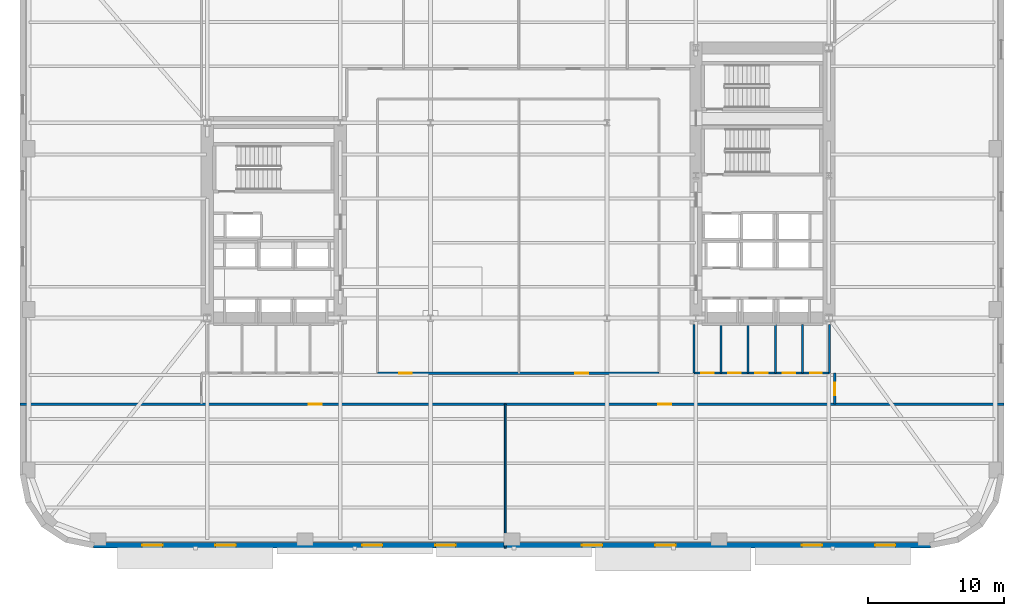
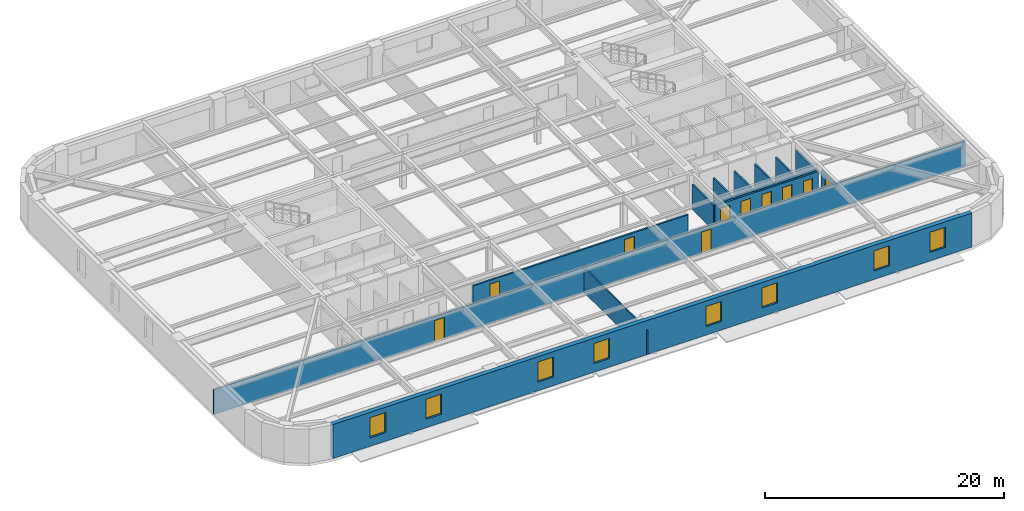
# One storey, part 5 of 15: 12 walls, 10 doors, 8 windows, 18 openings.
"""IFC4 building model written with IfcOpenShell, lengths in metres."""

from ifc_helpers import new_model, si_unit, direction, frame, frame_2d, origin, place, context, subcontext, project, spatial, rectangle, extrude, material, layer, layer_set, type_object, element, fill, save


model = new_model("IFC4")

# Units and contexts
model_context = context("Model", 3, precision=1e-05, world=origin(), true_north=direction((0.0, 1.0)))
body_context = subcontext(model_context, "Body", "Model", "MODEL_VIEW")
ifc_project = project(units=[si_unit("LENGTHUNIT", "METRE"), si_unit("AREAUNIT", "SQUARE_METRE"), si_unit("VOLUMEUNIT", "CUBIC_METRE"), si_unit("PLANEANGLEUNIT", "RADIAN"), si_unit("MASSUNIT", "GRAM", prefix="KILO")], contexts=[model_context])

# Site, building, storey
site_placement = place(None, origin())
site = spatial("IfcSite", under=ifc_project, at=site_placement, CompositionType="ELEMENT")
building_placement = place(site_placement, origin())
building = spatial("IfcBuilding", under=site, at=building_placement, Name="Kolvaren Arena Tower", CompositionType="ELEMENT")
storey_placement = place(building_placement, frame((0.0, 0.0, 45.75)))
storey = spatial("IfcBuildingStorey", under=building, at=storey_placement, Name="L08", CompositionType="ELEMENT", Elevation=45.75)

# Wall, openings, doors
ifc_material_1 = material(Name="Gypsum board acoustic assembly", Category="gypsum")
ifc_layer_1 = layer(ifc_material_1, 0.159912109375)
ifc_layer_set_1 = layer_set([ifc_layer_1], Name="Gypsum board acoustic assembly")
wall_type_1 = type_object("IfcWallType", Name="CORR-160", PredefinedType="PARTITIONING", material=ifc_layer_set_1)
wall_1_placement = place(storey_placement, frame((0.75, 13.10009765625, 0.0), z_axis=(0.0, 0.0, 1.0), x_axis=(1.0, 0.0, 0.0)))
wall_1 = element("IfcWall", 1, at=wall_1_placement, inside=storey, type_object=wall_type_1, Name="Interior Partition Wall (L08)", PredefinedType="PARTITIONING", context=body_context, shape_type="SweptSolid", body=[
    extrude(rectangle(XDim=72.5, YDim=0.159912109375, at=frame_2d((36.25, 0.0))), origin(), (0.0, 0.0, 1.0), 2.5400390625),
])
opening_1_placement = place(wall_1_placement, frame((21.27490234375, 0.0, 0.0)))
opening_1 = element("IfcOpeningElement", 2, at=opening_1_placement, cuts=wall_1, Name="Opening D05", PredefinedType="OPENING", context=body_context, shape_type="SweptSolid", body=[
    extrude(rectangle(XDim=0.949951171875, YDim=2.14990234375, at=frame_2d((0.47509765625, 1.074951171875))), frame((0.0, 0.08984375, 0.0), z_axis=(0.0, -1.0, 0.0), x_axis=(1.0, 0.0, 0.0)), (0.0, 0.0, 1.0), 0.179931640625),
])
opening_2_placement = place(wall_1_placement, frame((47.02490234375, 0.0, 0.0)))
opening_2 = element("IfcOpeningElement", 3, at=opening_2_placement, cuts=wall_1, Name="Opening D05", PredefinedType="OPENING", context=body_context, shape_type="SweptSolid", body=[
    extrude(rectangle(XDim=0.949951171875, YDim=2.14990234375, at=frame_2d((0.47509765625, 1.074951171875))), frame((0.0, 0.08984375, 0.0), z_axis=(0.0, -1.0, 0.0), x_axis=(1.0, 0.0, 0.0)), (0.0, 0.0, 1.0), 0.179931640625),
])
ifc_material_2 = material(Name="Solid-core oak acoustic office door", Category="wood")
door_type_1 = type_object("IfcDoorType", Name="DOOR-OF-095", OperationType="NOTDEFINED", PredefinedType="DOOR", material=ifc_material_2)
door_1_placement = place(opening_1_placement, origin())
door_1 = element("IfcDoor", 4, at=door_1_placement, inside=storey, type_object=door_type_1, Name="Design Studio Door (L08)", OperationType="SINGLE_SWING_RIGHT", OverallHeight=2.14990234375, OverallWidth=0.949951171875, PredefinedType="DOOR", context=body_context, shape_type="SweptSolid", body=[
    extrude(rectangle(XDim=0.949951171875, YDim=2.14990234375, at=frame_2d((0.47509765625, 1.074951171875))), frame((0.0, 0.02490234375, 0.0), z_axis=(0.0, -1.0, 0.0), x_axis=(1.0, 0.0, 0.0)), (0.0, 0.0, 1.0), 0.050048828125),
])
fill(opening_1, door_1)
door_2_placement = place(opening_2_placement, origin())
door_2 = element("IfcDoor", 5, at=door_2_placement, inside=storey, type_object=door_type_1, Name="Design Studio Door (L08)", OperationType="SINGLE_SWING_LEFT", OverallHeight=2.14990234375, OverallWidth=0.949951171875, PredefinedType="DOOR", context=body_context, shape_type="SweptSolid", body=[
    extrude(rectangle(XDim=0.949951171875, YDim=2.14990234375, at=frame_2d((0.47509765625, 1.074951171875))), frame((0.0, 0.02490234375, 0.0), z_axis=(0.0, -1.0, 0.0), x_axis=(1.0, 0.0, 0.0)), (0.0, 0.0, 1.0), 0.050048828125),
])
fill(opening_2, door_2)

wall_2_placement = place(storey_placement, frame((27.080078125, 15.3798828125, 0.0), z_axis=(0.0, 0.0, 1.0), x_axis=(1.0, 0.0, 0.0)))
wall_2 = element("IfcWall", 6, at=wall_2_placement, inside=storey, type_object=wall_type_1, Name="Interior Partition Wall (L08)", PredefinedType="PARTITIONING", context=body_context, shape_type="SweptSolid", body=[
    extrude(rectangle(XDim=20.739990234375, YDim=0.159912109375, at=frame_2d((10.3701171875, 0.0))), origin(), (0.0, 0.0, 1.0), 2.5400390625),
])
opening_3_placement = place(wall_2_placement, frame((1.594970703125, 0.0, 0.0)))
opening_3 = element("IfcOpeningElement", 7, at=opening_3_placement, cuts=wall_2, Name="Opening D05", PredefinedType="OPENING", context=body_context, shape_type="SweptSolid", body=[
    extrude(rectangle(XDim=0.949951171875, YDim=2.14990234375, at=frame_2d((0.47509765625, 1.074951171875))), frame((0.0, 0.08984375, 0.0), z_axis=(0.0, -1.0, 0.0), x_axis=(1.0, 0.0, 0.0)), (0.0, 0.0, 1.0), 0.179931640625),
])
opening_4_placement = place(wall_2_placement, frame((14.594970703125, 0.0, 0.0)))
opening_4 = element("IfcOpeningElement", 8, at=opening_4_placement, cuts=wall_2, Name="Opening D05", PredefinedType="OPENING", context=body_context, shape_type="SweptSolid", body=[
    extrude(rectangle(XDim=0.949951171875, YDim=2.14990234375, at=frame_2d((0.47509765625, 1.074951171875))), frame((0.0, 0.08984375, 0.0), z_axis=(0.0, -1.0, 0.0), x_axis=(1.0, 0.0, 0.0)), (0.0, 0.0, 1.0), 0.179931640625),
])
door_3_placement = place(opening_3_placement, origin())
door_3 = element("IfcDoor", 9, at=door_3_placement, inside=storey, type_object=door_type_1, Name="Design Studio Door (L08)", OperationType="SINGLE_SWING_RIGHT", OverallHeight=2.14990234375, OverallWidth=0.949951171875, PredefinedType="DOOR", context=body_context, shape_type="SweptSolid", body=[
    extrude(rectangle(XDim=0.949951171875, YDim=2.14990234375, at=frame_2d((0.47509765625, 1.074951171875))), frame((0.0, 0.02490234375, 0.0), z_axis=(0.0, -1.0, 0.0), x_axis=(1.0, 0.0, 0.0)), (0.0, 0.0, 1.0), 0.050048828125),
])
fill(opening_3, door_3)
door_4_placement = place(opening_4_placement, origin())
door_4 = element("IfcDoor", 10, at=door_4_placement, inside=storey, type_object=door_type_1, Name="Design Studio Door (L08)", OperationType="SINGLE_SWING_LEFT", OverallHeight=2.14990234375, OverallWidth=0.949951171875, PredefinedType="DOOR", context=body_context, shape_type="SweptSolid", body=[
    extrude(rectangle(XDim=0.949951171875, YDim=2.14990234375, at=frame_2d((0.47509765625, 1.074951171875))), frame((0.0, 0.02490234375, 0.0), z_axis=(0.0, -1.0, 0.0), x_axis=(1.0, 0.0, 0.0)), (0.0, 0.0, 1.0), 0.050048828125),
])
fill(opening_4, door_4)

# Wall, opening, door
wall_3_placement = place(storey_placement, frame((60.780029296875, 13.10009765625, 0.0), z_axis=(0.0, 0.0, 1.0), x_axis=(0.0, 1.0, 0.0)))
wall_3 = element("IfcWall", 11, at=wall_3_placement, inside=storey, type_object=wall_type_1, Name="Interior Partition Wall (L08)", PredefinedType="PARTITIONING", context=body_context, shape_type="SweptSolid", body=[
    extrude(rectangle(XDim=2.2998046875, YDim=0.159912109375, at=frame_2d((1.14990234375, 0.0))), origin(), (0.0, 0.0, 1.0), 2.5400390625),
])
opening_5_placement = place(wall_3_placement, frame((0.64990234375, 0.0, 0.0)))
opening_5 = element("IfcOpeningElement", 12, at=opening_5_placement, cuts=wall_3, Name="Opening D05", PredefinedType="OPENING", context=body_context, shape_type="SweptSolid", body=[
    extrude(rectangle(XDim=0.949951171875, YDim=2.14990234375, at=frame_2d((0.47509765625, 1.074951171875))), frame((0.0, 0.08984375, 0.0), z_axis=(0.0, -1.0, 0.0), x_axis=(1.0, 0.0, 0.0)), (0.0, 0.0, 1.0), 0.179931640625),
])
door_5_placement = place(opening_5_placement, origin())
door_5 = element("IfcDoor", 13, at=door_5_placement, inside=storey, type_object=door_type_1, Name="East Wing Studio Door (L08)", OperationType="SINGLE_SWING_RIGHT", OverallHeight=2.14990234375, OverallWidth=0.949951171875, PredefinedType="DOOR", context=body_context, shape_type="SweptSolid", body=[
    extrude(rectangle(XDim=0.949951171875, YDim=2.14990234375, at=frame_2d((0.47509765625, 1.074951171875))), frame((0.0, 0.02490234375, 0.0), z_axis=(0.0, -1.0, 0.0), x_axis=(1.0, 0.0, 0.0)), (0.0, 0.0, 1.0), 0.050048828125),
])
fill(opening_5, door_5)

# Wall, openings, windows
ifc_material_3 = material(Name="Precast concrete C50/60", Category="concrete")
ifc_layer_2 = layer(ifc_material_3, 0.419921875)
ifc_layer_set_2 = layer_set([ifc_layer_2], Name="Precast concrete C50/60")
wall_type_2 = type_object("IfcWallType", Name="EXT-PIER1", PredefinedType="SOLIDWALL", material=ifc_layer_set_2)
wall_4_placement = place(storey_placement, frame((67.85009765625, 2.7099609375, 0.0), z_axis=(0.0, 0.0, 1.0), x_axis=(-1.0, 0.0, 0.0)))
wall_4 = element("IfcWall", 14, at=wall_4_placement, inside=storey, type_object=wall_type_2, Name="Exterior Precast Masonry-Frame Wall (L08)", PredefinedType="SOLIDWALL", context=body_context, shape_type="SweptSolid", body=[
    extrude(rectangle(XDim=61.7001953125, YDim=0.419921875, at=frame_2d((30.85009765625, 0.0))), origin(), (0.0, 0.0, 1.0), 3.47998046875),
])
opening_6_placement = place(wall_4_placement, frame((2.60009765625, 0.0, 0.8798828125)))
opening_6 = element("IfcOpeningElement", 15, at=opening_6_placement, cuts=wall_4, Name="Opening W03", PredefinedType="OPENING", context=body_context, shape_type="SweptSolid", body=[
    extrude(rectangle(XDim=1.5, YDim=2.050048828125, at=frame_2d((0.75, 1.02490234375))), frame((0.0, 0.219970703125, 0.0), z_axis=(0.0, -1.0, 0.0), x_axis=(1.0, 0.0, 0.0)), (0.0, 0.0, 1.0), 0.43994140625),
])
opening_7_placement = place(wall_4_placement, frame((8.0, 0.0, 0.8798828125)))
opening_7 = element("IfcOpeningElement", 16, at=opening_7_placement, cuts=wall_4, Name="Opening W03", PredefinedType="OPENING", context=body_context, shape_type="SweptSolid", body=[
    extrude(rectangle(XDim=1.5, YDim=2.050048828125, at=frame_2d((0.75, 1.02490234375))), frame((0.0, 0.219970703125, 0.0), z_axis=(0.0, -1.0, 0.0), x_axis=(1.0, 0.0, 0.0)), (0.0, 0.0, 1.0), 0.43994140625),
])
opening_8_placement = place(wall_4_placement, frame((18.800048828125, 0.0, 0.8798828125)))
opening_8 = element("IfcOpeningElement", 17, at=opening_8_placement, cuts=wall_4, Name="Opening W03", PredefinedType="OPENING", context=body_context, shape_type="SweptSolid", body=[
    extrude(rectangle(XDim=1.5, YDim=2.050048828125, at=frame_2d((0.75, 1.02490234375))), frame((0.0, 0.219970703125, 0.0), z_axis=(0.0, -1.0, 0.0), x_axis=(1.0, 0.0, 0.0)), (0.0, 0.0, 1.0), 0.43994140625),
])
opening_9_placement = place(wall_4_placement, frame((24.199951171875, 0.0, 0.8798828125)))
opening_9 = element("IfcOpeningElement", 18, at=opening_9_placement, cuts=wall_4, Name="Opening W03", PredefinedType="OPENING", context=body_context, shape_type="SweptSolid", body=[
    extrude(rectangle(XDim=1.5, YDim=2.050048828125, at=frame_2d((0.75, 1.02490234375))), frame((0.0, 0.219970703125, 0.0), z_axis=(0.0, -1.0, 0.0), x_axis=(1.0, 0.0, 0.0)), (0.0, 0.0, 1.0), 0.43994140625),
])
opening_10_placement = place(wall_4_placement, frame((35.0, 0.0, 0.8798828125)))
opening_10 = element("IfcOpeningElement", 19, at=opening_10_placement, cuts=wall_4, Name="Opening W03", PredefinedType="OPENING", context=body_context, shape_type="SweptSolid", body=[
    extrude(rectangle(XDim=1.5, YDim=2.050048828125, at=frame_2d((0.75, 1.02490234375))), frame((0.0, 0.219970703125, 0.0), z_axis=(0.0, -1.0, 0.0), x_axis=(1.0, 0.0, 0.0)), (0.0, 0.0, 1.0), 0.43994140625),
])
opening_11_placement = place(wall_4_placement, frame((40.39990234375, 0.0, 0.8798828125)))
opening_11 = element("IfcOpeningElement", 20, at=opening_11_placement, cuts=wall_4, Name="Opening W03", PredefinedType="OPENING", context=body_context, shape_type="SweptSolid", body=[
    extrude(rectangle(XDim=1.5, YDim=2.050048828125, at=frame_2d((0.75, 1.02490234375))), frame((0.0, 0.219970703125, 0.0), z_axis=(0.0, -1.0, 0.0), x_axis=(1.0, 0.0, 0.0)), (0.0, 0.0, 1.0), 0.43994140625),
])
opening_12_placement = place(wall_4_placement, frame((51.199951171875, 0.0, 0.8798828125)))
opening_12 = element("IfcOpeningElement", 21, at=opening_12_placement, cuts=wall_4, Name="Opening W03", PredefinedType="OPENING", context=body_context, shape_type="SweptSolid", body=[
    extrude(rectangle(XDim=1.5, YDim=2.050048828125, at=frame_2d((0.75, 1.02490234375))), frame((0.0, 0.219970703125, 0.0), z_axis=(0.0, -1.0, 0.0), x_axis=(1.0, 0.0, 0.0)), (0.0, 0.0, 1.0), 0.43994140625),
])
opening_13_placement = place(wall_4_placement, frame((56.60009765625, 0.0, 0.8798828125)))
opening_13 = element("IfcOpeningElement", 22, at=opening_13_placement, cuts=wall_4, Name="Opening W03", PredefinedType="OPENING", context=body_context, shape_type="SweptSolid", body=[
    extrude(rectangle(XDim=1.5, YDim=2.050048828125, at=frame_2d((0.75, 1.02490234375))), frame((0.0, 0.219970703125, 0.0), z_axis=(0.0, -1.0, 0.0), x_axis=(1.0, 0.0, 0.0)), (0.0, 0.0, 1.0), 0.43994140625),
])
ifc_material_4 = material(Name="Triple-glazed low-E aluminium window", Category="aluminium")
window_type = type_object("IfcWindowType", Name="WIN-OFF-C", PartitioningType="SINGLE_PANEL", PredefinedType="WINDOW", material=ifc_material_4)
window_1_placement = place(opening_6_placement, origin())
window_1 = element("IfcWindow", 23, at=window_1_placement, inside=storey, type_object=window_type, Name="Punched Precast-Pier Window (L08)", OverallHeight=2.050048828125, OverallWidth=1.5, PartitioningType="SINGLE_PANEL", PredefinedType="WINDOW", context=body_context, shape_type="SweptSolid", body=[
    extrude(rectangle(XDim=1.5, YDim=2.050048828125, at=frame_2d((0.75, 1.02490234375))), frame((0.0, 0.030029296875, 0.0), z_axis=(0.0, -1.0, 0.0), x_axis=(1.0, 0.0, 0.0)), (0.0, 0.0, 1.0), 0.06005859375),
])
fill(opening_6, window_1)
window_2_placement = place(opening_7_placement, origin())
window_2 = element("IfcWindow", 24, at=window_2_placement, inside=storey, type_object=window_type, Name="Punched Precast-Pier Window (L08)", OverallHeight=2.050048828125, OverallWidth=1.5, PartitioningType="SINGLE_PANEL", PredefinedType="WINDOW", context=body_context, shape_type="SweptSolid", body=[
    extrude(rectangle(XDim=1.5, YDim=2.050048828125, at=frame_2d((0.75, 1.02490234375))), frame((0.0, 0.030029296875, 0.0), z_axis=(0.0, -1.0, 0.0), x_axis=(1.0, 0.0, 0.0)), (0.0, 0.0, 1.0), 0.06005859375),
])
fill(opening_7, window_2)
window_3_placement = place(opening_8_placement, origin())
window_3 = element("IfcWindow", 25, at=window_3_placement, inside=storey, type_object=window_type, Name="Punched Precast-Pier Window (L08)", OverallHeight=2.050048828125, OverallWidth=1.5, PartitioningType="SINGLE_PANEL", PredefinedType="WINDOW", context=body_context, shape_type="SweptSolid", body=[
    extrude(rectangle(XDim=1.5, YDim=2.050048828125, at=frame_2d((0.75, 1.02490234375))), frame((0.0, 0.030029296875, 0.0), z_axis=(0.0, -1.0, 0.0), x_axis=(1.0, 0.0, 0.0)), (0.0, 0.0, 1.0), 0.06005859375),
])
fill(opening_8, window_3)
window_4_placement = place(opening_9_placement, origin())
window_4 = element("IfcWindow", 26, at=window_4_placement, inside=storey, type_object=window_type, Name="Punched Precast-Pier Window (L08)", OverallHeight=2.050048828125, OverallWidth=1.5, PartitioningType="SINGLE_PANEL", PredefinedType="WINDOW", context=body_context, shape_type="SweptSolid", body=[
    extrude(rectangle(XDim=1.5, YDim=2.050048828125, at=frame_2d((0.75, 1.02490234375))), frame((0.0, 0.030029296875, 0.0), z_axis=(0.0, -1.0, 0.0), x_axis=(1.0, 0.0, 0.0)), (0.0, 0.0, 1.0), 0.06005859375),
])
fill(opening_9, window_4)
window_5_placement = place(opening_10_placement, origin())
window_5 = element("IfcWindow", 27, at=window_5_placement, inside=storey, type_object=window_type, Name="Punched Precast-Pier Window (L08)", OverallHeight=2.050048828125, OverallWidth=1.5, PartitioningType="SINGLE_PANEL", PredefinedType="WINDOW", context=body_context, shape_type="SweptSolid", body=[
    extrude(rectangle(XDim=1.5, YDim=2.050048828125, at=frame_2d((0.75, 1.02490234375))), frame((0.0, 0.030029296875, 0.0), z_axis=(0.0, -1.0, 0.0), x_axis=(1.0, 0.0, 0.0)), (0.0, 0.0, 1.0), 0.06005859375),
])
fill(opening_10, window_5)
window_6_placement = place(opening_11_placement, origin())
window_6 = element("IfcWindow", 28, at=window_6_placement, inside=storey, type_object=window_type, Name="Punched Precast-Pier Window (L08)", OverallHeight=2.050048828125, OverallWidth=1.5, PartitioningType="SINGLE_PANEL", PredefinedType="WINDOW", context=body_context, shape_type="SweptSolid", body=[
    extrude(rectangle(XDim=1.5, YDim=2.050048828125, at=frame_2d((0.75, 1.02490234375))), frame((0.0, 0.030029296875, 0.0), z_axis=(0.0, -1.0, 0.0), x_axis=(1.0, 0.0, 0.0)), (0.0, 0.0, 1.0), 0.06005859375),
])
fill(opening_11, window_6)
window_7_placement = place(opening_12_placement, origin())
window_7 = element("IfcWindow", 29, at=window_7_placement, inside=storey, type_object=window_type, Name="Punched Precast-Pier Window (L08)", OverallHeight=2.050048828125, OverallWidth=1.5, PartitioningType="SINGLE_PANEL", PredefinedType="WINDOW", context=body_context, shape_type="SweptSolid", body=[
    extrude(rectangle(XDim=1.5, YDim=2.050048828125, at=frame_2d((0.75, 1.02490234375))), frame((0.0, 0.030029296875, 0.0), z_axis=(0.0, -1.0, 0.0), x_axis=(1.0, 0.0, 0.0)), (0.0, 0.0, 1.0), 0.06005859375),
])
fill(opening_12, window_7)
window_8_placement = place(opening_13_placement, origin())
window_8 = element("IfcWindow", 30, at=window_8_placement, inside=storey, type_object=window_type, Name="Punched Precast-Pier Window (L08)", OverallHeight=2.050048828125, OverallWidth=1.5, PartitioningType="SINGLE_PANEL", PredefinedType="WINDOW", context=body_context, shape_type="SweptSolid", body=[
    extrude(rectangle(XDim=1.5, YDim=2.050048828125, at=frame_2d((0.75, 1.02490234375))), frame((0.0, 0.030029296875, 0.0), z_axis=(0.0, -1.0, 0.0), x_axis=(1.0, 0.0, 0.0)), (0.0, 0.0, 1.0), 0.06005859375),
])
fill(opening_13, window_8)

# Wall
ifc_material_5 = material(Name="Gypsum board partition assembly", Category="gypsum")
ifc_layer_3 = layer(ifc_material_5, 0.135009765625)
ifc_layer_set_3 = layer_set([ifc_layer_3], Name="Gypsum board partition assembly")
wall_type_3 = type_object("IfcWallType", Name="PART-135", PredefinedType="PARTITIONING", material=ifc_layer_set_3)
wall_5_placement = place(storey_placement, frame((36.5, 2.5, 0.0), z_axis=(0.0, 0.0, 1.0), x_axis=(0.0, 1.0, 0.0)))
element("IfcWall", 31, at=wall_5_placement, inside=storey, type_object=wall_type_3, Name="Interior Partition Wall (L08)", PredefinedType="PARTITIONING", context=body_context, shape_type="SweptSolid", body=[
    extrude(rectangle(XDim=10.60009765625, YDim=0.135009765625, at=frame_2d((5.300048828125, 0.0))), origin(), (0.0, 0.0, 1.0), 2.5400390625),
])

# Wall, openings, doors
ifc_material_6 = material(Name="Concrete 45 MPa", Category="concrete")
ifc_layer_4 = layer(ifc_material_6, 0.25)
ifc_layer_set_4 = layer_set([ifc_layer_4], Name="Concrete 45 MPa")
wall_type_4 = type_object("IfcWallType", Name="SHAFT-250", PredefinedType="SOLIDWALL", material=ifc_layer_set_4)
wall_6_placement = place(storey_placement, frame((50.39990234375, 15.39990234375, 0.0), z_axis=(0.0, 0.0, 1.0), x_axis=(1.0, 0.0, 0.0)))
wall_6 = element("IfcWall", 32, at=wall_6_placement, inside=storey, type_object=wall_type_4, Name="Interior Partition Wall (L08)", PredefinedType="SOLIDWALL", context=body_context, shape_type="SweptSolid", body=[
    extrude(rectangle(XDim=10.0, YDim=0.179931640625, at=frame_2d((5.0, 0.0))), origin(), (0.0, 0.0, 1.0), 2.5400390625),
])
opening_14_placement = place(wall_6_placement, frame((0.5400390625, 0.0, 0.0)))
opening_14 = element("IfcOpeningElement", 33, at=opening_14_placement, cuts=wall_6, Name="Opening D07", PredefinedType="OPENING", context=body_context, shape_type="SweptSolid", body=[
    extrude(rectangle(XDim=0.919921875, YDim=2.10009765625, at=frame_2d((0.4599609375, 1.050048828125))), frame((0.0, 0.099853515625, 0.0), z_axis=(0.0, -1.0, 0.0), x_axis=(1.0, 0.0, 0.0)), (0.0, 0.0, 1.0), 0.199951171875),
])
opening_15_placement = place(wall_6_placement, frame((2.5400390625, 0.0, 0.0)))
opening_15 = element("IfcOpeningElement", 34, at=opening_15_placement, cuts=wall_6, Name="Opening D07", PredefinedType="OPENING", context=body_context, shape_type="SweptSolid", body=[
    extrude(rectangle(XDim=0.919921875, YDim=2.10009765625, at=frame_2d((0.4599609375, 1.050048828125))), frame((0.0, 0.099853515625, 0.0), z_axis=(0.0, -1.0, 0.0), x_axis=(1.0, 0.0, 0.0)), (0.0, 0.0, 1.0), 0.199951171875),
])
opening_16_placement = place(wall_6_placement, frame((4.5400390625, 0.0, 0.0)))
opening_16 = element("IfcOpeningElement", 35, at=opening_16_placement, cuts=wall_6, Name="Opening D07", PredefinedType="OPENING", context=body_context, shape_type="SweptSolid", body=[
    extrude(rectangle(XDim=0.919921875, YDim=2.10009765625, at=frame_2d((0.4599609375, 1.050048828125))), frame((0.0, 0.099853515625, 0.0), z_axis=(0.0, -1.0, 0.0), x_axis=(1.0, 0.0, 0.0)), (0.0, 0.0, 1.0), 0.199951171875),
])
opening_17_placement = place(wall_6_placement, frame((6.5400390625, 0.0, 0.0)))
opening_17 = element("IfcOpeningElement", 36, at=opening_17_placement, cuts=wall_6, Name="Opening D07", PredefinedType="OPENING", context=body_context, shape_type="SweptSolid", body=[
    extrude(rectangle(XDim=0.919921875, YDim=2.10009765625, at=frame_2d((0.4599609375, 1.050048828125))), frame((0.0, 0.099853515625, 0.0), z_axis=(0.0, -1.0, 0.0), x_axis=(1.0, 0.0, 0.0)), (0.0, 0.0, 1.0), 0.199951171875),
])
opening_18_placement = place(wall_6_placement, frame((8.570068359375, 0.0, 0.0)))
opening_18 = element("IfcOpeningElement", 37, at=opening_18_placement, cuts=wall_6, Name="Opening D09", PredefinedType="OPENING", context=body_context, shape_type="SweptSolid", body=[
    extrude(rectangle(XDim=0.860107421875, YDim=2.050048828125, at=frame_2d((0.43017578125, 1.02490234375))), frame((0.0, 0.099853515625, 0.0), z_axis=(0.0, -1.0, 0.0), x_axis=(1.0, 0.0, 0.0)), (0.0, 0.0, 1.0), 0.199951171875),
])
ifc_material_7 = material(Name="Fire-rated steel riser access door", Category="steel")
door_type_2 = type_object("IfcDoorType", Name="DOOR-RS-086", OperationType="NOTDEFINED", PredefinedType="DOOR", material=ifc_material_7)
door_6_placement = place(opening_18_placement, origin())
door_6 = element("IfcDoor", 38, at=door_6_placement, inside=storey, type_object=door_type_2, Name="Telecom Riser Closet Door (L08)", OperationType="SINGLE_SWING_RIGHT", OverallHeight=2.050048828125, OverallWidth=0.860107421875, PredefinedType="DOOR", context=body_context, shape_type="SweptSolid", body=[
    extrude(rectangle(XDim=0.860107421875, YDim=2.050048828125, at=frame_2d((0.43017578125, 1.02490234375))), frame((0.0, 0.02490234375, 0.0), z_axis=(0.0, -1.0, 0.0), x_axis=(1.0, 0.0, 0.0)), (0.0, 0.0, 1.0), 0.050048828125),
])
fill(opening_18, door_6)
ifc_material_8 = material(Name="Laminate universal washroom door", Category="wood")
door_type_3 = type_object("IfcDoorType", Name="DOOR-WC-092", OperationType="NOTDEFINED", PredefinedType="DOOR", material=ifc_material_8)
door_7_placement = place(opening_14_placement, origin())
door_7 = element("IfcDoor", 39, at=door_7_placement, inside=storey, type_object=door_type_3, Name="First Aid Store Door (L08)", OperationType="SINGLE_SWING_RIGHT", OverallHeight=2.10009765625, OverallWidth=0.919921875, PredefinedType="DOOR", context=body_context, shape_type="SweptSolid", body=[
    extrude(rectangle(XDim=0.919921875, YDim=2.10009765625, at=frame_2d((0.4599609375, 1.050048828125))), frame((0.0, 0.02490234375, 0.0), z_axis=(0.0, -1.0, 0.0), x_axis=(1.0, 0.0, 0.0)), (0.0, 0.0, 1.0), 0.050048828125),
])
fill(opening_14, door_7)
door_8_placement = place(opening_15_placement, origin())
door_8 = element("IfcDoor", 40, at=door_8_placement, inside=storey, type_object=door_type_3, Name="Cleaner and Janitor Store Door (L08)", OperationType="SINGLE_SWING_LEFT", OverallHeight=2.10009765625, OverallWidth=0.919921875, PredefinedType="DOOR", context=body_context, shape_type="SweptSolid", body=[
    extrude(rectangle(XDim=0.919921875, YDim=2.10009765625, at=frame_2d((0.4599609375, 1.050048828125))), frame((0.0, 0.02490234375, 0.0), z_axis=(0.0, -1.0, 0.0), x_axis=(1.0, 0.0, 0.0)), (0.0, 0.0, 1.0), 0.050048828125),
])
fill(opening_15, door_8)
door_9_placement = place(opening_16_placement, origin())
door_9 = element("IfcDoor", 41, at=door_9_placement, inside=storey, type_object=door_type_3, Name="Staff Pantry Door (L08)", OperationType="SINGLE_SWING_RIGHT", OverallHeight=2.10009765625, OverallWidth=0.919921875, PredefinedType="DOOR", context=body_context, shape_type="SweptSolid", body=[
    extrude(rectangle(XDim=0.919921875, YDim=2.10009765625, at=frame_2d((0.4599609375, 1.050048828125))), frame((0.0, 0.02490234375, 0.0), z_axis=(0.0, -1.0, 0.0), x_axis=(1.0, 0.0, 0.0)), (0.0, 0.0, 1.0), 0.050048828125),
])
fill(opening_16, door_9)
door_10_placement = place(opening_17_placement, origin())
door_10 = element("IfcDoor", 42, at=door_10_placement, inside=storey, type_object=door_type_3, Name="Gender-Neutral Washroom Door (L08)", OperationType="SINGLE_SWING_LEFT", OverallHeight=2.10009765625, OverallWidth=0.919921875, PredefinedType="DOOR", context=body_context, shape_type="SweptSolid", body=[
    extrude(rectangle(XDim=0.919921875, YDim=2.10009765625, at=frame_2d((0.4599609375, 1.050048828125))), frame((0.0, 0.02490234375, 0.0), z_axis=(0.0, -1.0, 0.0), x_axis=(1.0, 0.0, 0.0)), (0.0, 0.0, 1.0), 0.050048828125),
])
fill(opening_17, door_10)

# Walls
ifc_material_9 = material(Name="Moisture-resistant gypsum assembly", Category="gypsum")
ifc_layer_5 = layer(ifc_material_9, 0.14990234375)
ifc_layer_set_5 = layer_set([ifc_layer_5], Name="Moisture-resistant gypsum assembly")
wall_type_5 = type_object("IfcWallType", Name="WETW-150", PredefinedType="PARTITIONING", material=ifc_layer_set_5)
for number, where, z_axis, x_axis, name in (
    (43, (52.39990234375, 15.39990234375, 0.0), (0.0, 0.0, 1.0), (0.0, 1.0, 0.0), "Interior Partition Wall (L08)"),
    (44, (54.39990234375, 15.39990234375, 0.0), (0.0, 0.0, 1.0), (0.0, 1.0, 0.0), "Interior Partition Wall (L08)"),
    (45, (56.39990234375, 15.39990234375, 0.0), (0.0, 0.0, 1.0), (0.0, 1.0, 0.0), "Interior Partition Wall (L08)"),
    (46, (58.39990234375, 15.39990234375, 0.0), (0.0, 0.0, 1.0), (0.0, 1.0, 0.0), "Interior Partition Wall (L08)"),
    (47, (50.39990234375, 15.39990234375, 0.0), (0.0, 0.0, 1.0), (0.0, 1.0, 0.0), "Interior Partition Wall (L08)"),
    (48, (60.39990234375, 15.39990234375, 0.0), (0.0, 0.0, 1.0), (0.0, 1.0, 0.0), "Interior Partition Wall (L08)"),
):
    element("IfcWall", number, at=place(storey_placement, frame(where, z_axis=z_axis, x_axis=x_axis)), inside=storey, type_object=wall_type_5, Name=name, PredefinedType="PARTITIONING", context=body_context, shape_type="SweptSolid", body=[
        extrude(rectangle(XDim=3.580078125, YDim=0.14990234375, at=frame_2d((1.7900390625, 0.0))), origin(), (0.0, 0.0, 1.0), 2.5400390625),
    ])

save(model, "model.ifc")
